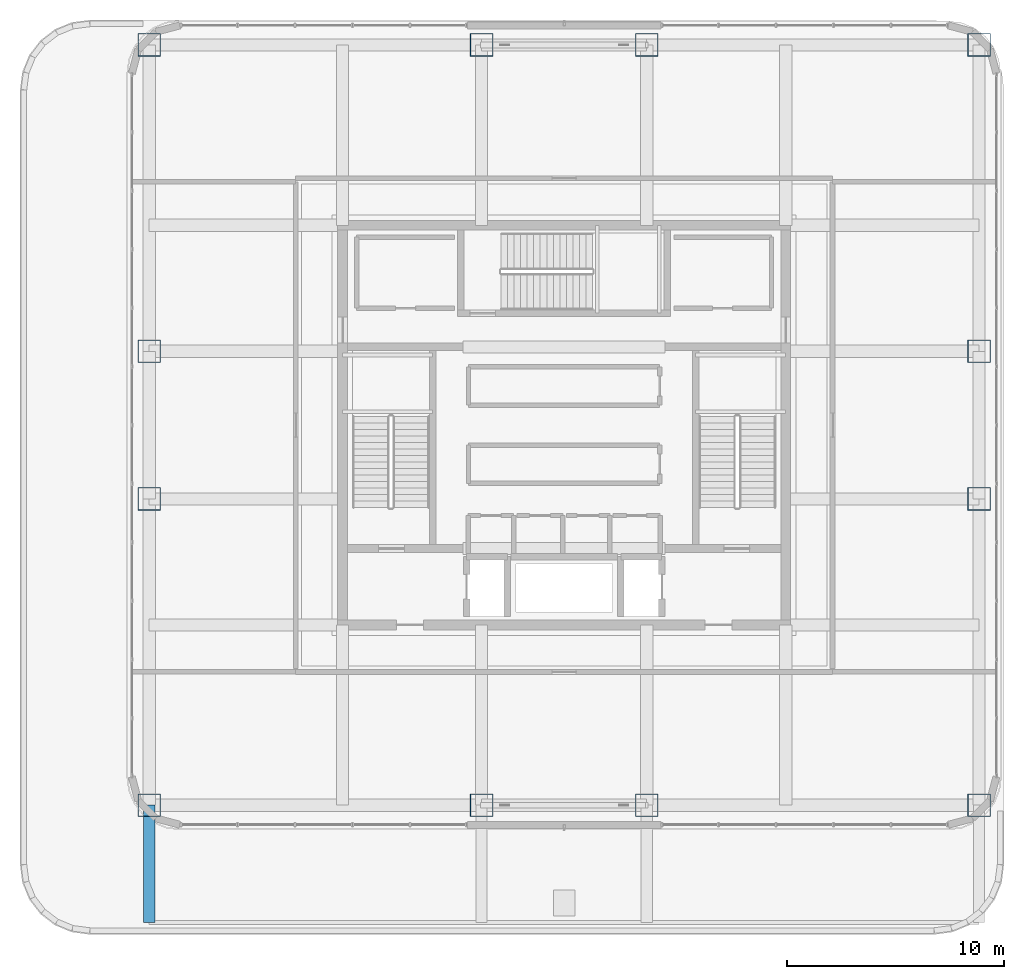
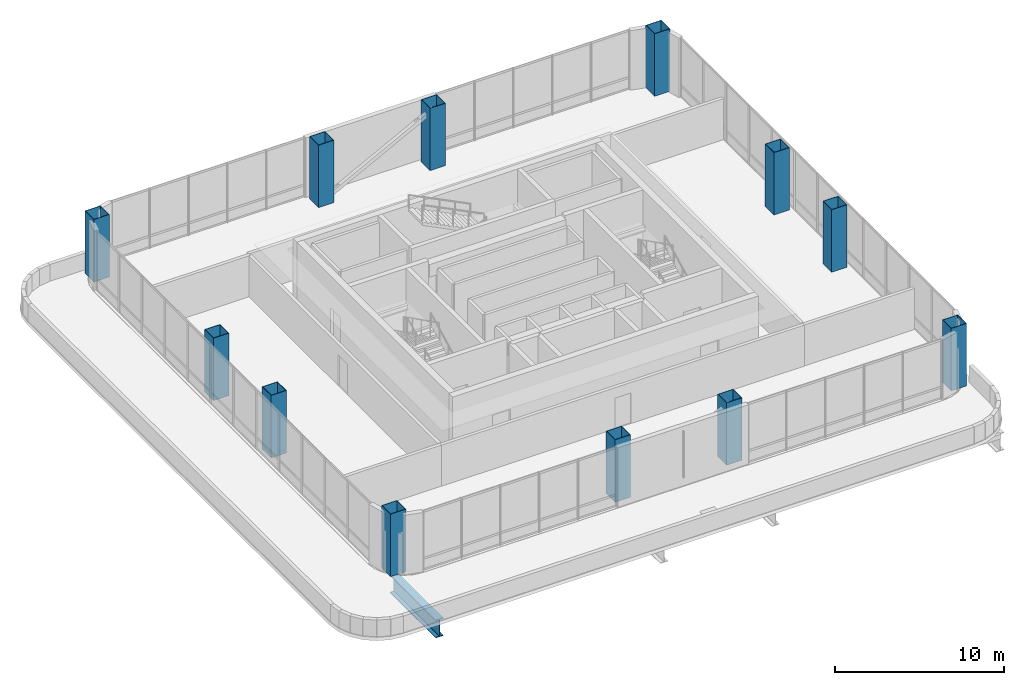
# One storey, part 1 of 33: 12 columns, 1 beam.
"""IFC4 building model written with IfcOpenShell, lengths in metres."""

import ifcopenshell
import ifcopenshell.guid

model = None  # the IFC model being written
_history = None  # IfcOwnerHistory: only IFC2X3 demands one
_inside = {}  # id of a spatial element -> (the spatial element, [elements in it])
_under = {}  # id of a project, library or spatial element -> (it, [spatial elements below it])
_declared = {}  # id of a project -> (the project, [libraries it declares])
_typed = {}  # id of a type object -> (the type object, [elements of that type])
_made_of = {}  # id of a material, layer set ... -> (it, [elements and type objects made of it])


def new_model(schema):
    """Start an empty IFC model of exactly this schema.

    Asked for "IFC4X3", IfcOpenShell would pick the latest addendum, in which some entities
    have other attributes; the version numbers below select the first issue.
    IFC2X3 requires an IfcOwnerHistory on every rooted entity: one is made here for all.
    """
    global model, _history
    if schema == "IFC4X3":
        model = ifcopenshell.file(schema_version=(4, 3, 0, 0))
    else:
        model = ifcopenshell.file(schema=schema)
    _inside.clear()
    _under.clear()
    _declared.clear()
    _typed.clear()
    _made_of.clear()
    _history = None
    if model.schema == "IFC2X3":
        org = make("IfcOrganization", Name="unknown")
        user = make(
            "IfcPersonAndOrganization",
            ThePerson=make("IfcPerson", FamilyName="unknown"),
            TheOrganization=org,
        )
        app = make(
            "IfcApplication",
            ApplicationDeveloper=org,
            Version="unknown",
            ApplicationFullName="unknown",
            ApplicationIdentifier="unknown",
        )
        _history = make(
            "IfcOwnerHistory",
            OwningUser=user,
            OwningApplication=app,
            ChangeAction="ADDED",
            CreationDate=0,
        )
    return model


def make(cls, **values):
    """One entity of the class cls with the attributes given. An attribute that is None is left unset."""
    return model.create_entity(
        cls, **{name: value for name, value in values.items() if value is not None}
    )


def rooted(cls, **values):
    """An entity with a GlobalId (a new one), such as an element, a storey or a relation."""
    return make(cls, GlobalId=ifcopenshell.guid.new(), OwnerHistory=_history, **values)


def si_unit(unit_type, name, prefix=None):
    """IfcSIUnit, for example si_unit("LENGTHUNIT", "METRE", prefix="MILLI")."""
    return make("IfcSIUnit", UnitType=unit_type, Prefix=prefix, Name=name)


def assignment(units):
    """IfcUnitAssignment: the units of a project."""
    return None if units is None else make("IfcUnitAssignment", Units=units)


def point(xyz):
    """IfcCartesianPoint."""
    return None if xyz is None else make("IfcCartesianPoint", Coordinates=xyz)


def direction(xyz):
    """IfcDirection."""
    return None if xyz is None else make("IfcDirection", DirectionRatios=xyz)


def frame(location, z_axis=None, x_axis=None):
    """IfcAxis2Placement3D, a coordinate frame: its origin and axes. An axis left out is left unset."""
    return make(
        "IfcAxis2Placement3D",
        Location=point(location),
        Axis=direction(z_axis),
        RefDirection=direction(x_axis),
    )


def frame_2d(location, x_axis=None):
    """IfcAxis2Placement2D, a coordinate frame in the plane: its origin and x axis."""
    return make(
        "IfcAxis2Placement2D", Location=point(location), RefDirection=direction(x_axis)
    )


def origin():
    """The frame at (0, 0, 0) with its axes left unset."""
    return frame((0.0, 0.0, 0.0))


def origin_2d():
    """The frame at (0, 0) in the plane with its x axis left unset."""
    return frame_2d((0.0, 0.0))


def place(relative_to, where):
    """IfcLocalPlacement: puts the frame where relative to a parent placement (None: the world)."""
    return make(
        "IfcLocalPlacement", PlacementRelTo=relative_to, RelativePlacement=where
    )


def context(
    kind, dimensions, precision=None, world=None, true_north=None, identifier=None
):
    """IfcGeometricRepresentationContext, for example the 3D "Model" context."""
    return make(
        "IfcGeometricRepresentationContext",
        ContextIdentifier=identifier,
        ContextType=kind,
        CoordinateSpaceDimension=dimensions,
        Precision=precision,
        WorldCoordinateSystem=world,
        TrueNorth=true_north,
    )


def subcontext(parent, identifier, kind, view, scale=None):
    """IfcGeometricRepresentationSubContext, for example "Body" below "Model"."""
    return make(
        "IfcGeometricRepresentationSubContext",
        ContextIdentifier=identifier,
        ContextType=kind,
        ParentContext=parent,
        TargetScale=scale,
        TargetView=view,
    )


def project(units=None, contexts=None):
    """IfcProject with its units and contexts."""
    return rooted(
        "IfcProject",
        Name="project",
        RepresentationContexts=contexts,
        UnitsInContext=assignment(units),
    )


def spatial(cls, under=None, at=None, **own):
    """A site, building, storey or space (cls), placed at a placement, below another one or the project."""
    s = rooted(cls, ObjectPlacement=at, **own)
    if under is not None:
        _under.setdefault(under.id(), (under, []))[1].append(s)
    return s


def profile(cls, at=None, kind="AREA", **sizes):
    """A parametric profile (cls). Its sizes go by their IFC names, for example OverallWidth=200.0."""
    return make(cls, ProfileType=kind, Position=at, **sizes)


def hollow_rectangle(**sizes):
    """IfcRectangleHollowProfileDef."""
    return profile("IfcRectangleHollowProfileDef", **sizes)


def i_section(**sizes):
    """IfcIShapeProfileDef."""
    return profile("IfcIShapeProfileDef", **sizes)


def extrude(swept, where, along, depth):
    """IfcExtrudedAreaSolid: the profile swept, set in the frame where, extruded along a direction by depth."""
    return make(
        "IfcExtrudedAreaSolid",
        SweptArea=swept,
        Position=where,
        ExtrudedDirection=direction(along),
        Depth=depth,
    )


def shape(context_of_items, identifier, shape_type, items):
    """IfcShapeRepresentation: the items that make up one representation, for example the "Body"."""
    return make(
        "IfcShapeRepresentation",
        ContextOfItems=context_of_items,
        RepresentationIdentifier=identifier,
        RepresentationType=shape_type,
        Items=items,
    )


def material(Name=None, Category=None):
    """IfcMaterial."""
    return make("IfcMaterial", Name=Name, Category=Category)


def material_profile(
    of_material, cross_section, Name=None, Category=None, Priority=None
):
    """IfcMaterialProfile: a cross section and its material."""
    return make(
        "IfcMaterialProfile",
        Name=Name,
        Material=of_material,
        Profile=cross_section,
        Priority=Priority,
        Category=Category,
    )


def profile_set(profiles, Name=None, composite=None):
    """IfcMaterialProfileSet."""
    return make(
        "IfcMaterialProfileSet",
        Name=Name,
        MaterialProfiles=profiles,
        CompositeProfile=composite,
    )


def made_of(thing, what):
    """Note that an element or type object is made of a material, layer set ...; save() writes the relation."""
    if what is not None:
        _made_of.setdefault(what.id(), (what, []))[1].append(thing)
    return thing


def type_object(cls, material=None, **own):
    """A type object (cls), such as IfcWallType, which elements share."""
    return made_of(rooted(cls, **own), material)


def element(
    cls,
    number,
    at=None,
    inside=None,
    cuts=None,
    type_object=None,
    material=None,
    context=None,
    identifier="Body",
    shape_type=None,
    held_by="IfcProductDefinitionShape",
    body=None,
    shapes=None,
    **own,
):
    """One element of the class cls, such as IfcWall. Its Tag is "e" and its number.

    at: its placement. inside: the storey or other place that contains it. cuts: it is an
    opening in that element (IfcRelVoidsElement). A single representation is given by context,
    identifier, shape_type and body (its items); several are given by shapes. held_by: the class
    of the entity that holds the representations. save() writes the other relations.
    """
    e = rooted(cls, Tag="e%d" % number, ObjectPlacement=at, **own)
    if body is not None:
        shapes = [shape(context, identifier, shape_type, body)]
    if shapes is not None:
        e.Representation = make(held_by, Representations=shapes)
    if inside is not None:
        _inside.setdefault(inside.id(), (inside, []))[1].append(e)
    if cuts is not None:
        rooted(
            "IfcRelVoidsElement", RelatingBuildingElement=cuts, RelatedOpeningElement=e
        )
    if type_object is not None:
        _typed.setdefault(type_object.id(), (type_object, []))[1].append(e)
    return made_of(e, material)


def aggregate(whole, parts):
    """IfcRelAggregates: a whole, such as a stair, and the parts it consists of."""
    return rooted("IfcRelAggregates", RelatingObject=whole, RelatedObjects=parts)


def save(model, path):
    """Write the relations noted so far, then the file.

    IfcRelAggregates (storeys below a building ...), IfcRelContainedInSpatialStructure (elements
    in a storey), IfcRelDefinesByType, IfcRelAssociatesMaterial and IfcRelDeclares: one each for
    every whole, place, type object, material and project.
    """
    for whole, parts in _under.values():
        aggregate(whole, parts)
    for where, things in _inside.values():
        rooted(
            "IfcRelContainedInSpatialStructure",
            RelatedElements=things,
            RelatingStructure=where,
        )
    for kind, things in _typed.values():
        rooted("IfcRelDefinesByType", RelatedObjects=things, RelatingType=kind)
    for what, things in _made_of.values():
        rooted("IfcRelAssociatesMaterial", RelatedObjects=things, RelatingMaterial=what)
    for by, libraries in _declared.values():
        rooted("IfcRelDeclares", RelatingContext=by, RelatedDefinitions=libraries)
    model.write(path)


model = new_model("IFC4")

# Units and contexts
model_context = context("Model", 3, precision=1e-05, world=origin(), true_north=direction((0.0, 1.0)))
body_context = subcontext(model_context, "Body", "Model", "MODEL_VIEW")
ifc_project = project(units=[si_unit("LENGTHUNIT", "METRE"), si_unit("AREAUNIT", "SQUARE_METRE"), si_unit("VOLUMEUNIT", "CUBIC_METRE"), si_unit("PLANEANGLEUNIT", "RADIAN"), si_unit("MASSUNIT", "GRAM", prefix="KILO")], contexts=[model_context])

# Site, building, storey
site_placement = place(None, origin())
site = spatial("IfcSite", under=ifc_project, at=site_placement, CompositionType="ELEMENT")
building_placement = place(site_placement, origin())
building = spatial("IfcBuilding", under=site, at=building_placement, Name="Punatoya Terracotta Tower", CompositionType="ELEMENT")
storey_placement = place(building_placement, frame((0.0, 0.0, 343.800048828125)))
storey = spatial("IfcBuildingStorey", under=building, at=storey_placement, Name="L81", CompositionType="ELEMENT", Elevation=343.800048828125)

# Columns
ifc_material = material(Name="Steel S460", Category="steel")
ifc_material_profile_1 = material_profile(ifc_material, hollow_rectangle(XDim=1.050048828125, YDim=1.050048828125, WallThickness=0.030029296875, at=origin_2d()))
ifc_profile_set_1 = profile_set([ifc_material_profile_1], Name="Steel S460")
column_type = type_object("IfcColumnType", Name="COL-MC-CR", PredefinedType="COLUMN", material=ifc_profile_set_1)
for number, where, z_axis, x_axis, name in (
    (1, (-19.10009765625, -17.5, 0.0), (0.0, 0.0, 1.0), (1.0, 0.0, 0.0), "L81 Composite Mega-Column MC-01 (3-B)"),
    (2, (-3.800048828125, -17.5, 0.0), (0.0, 0.0, 1.0), (1.0, 0.0, 0.0), "L81 Composite Mega-Column MC-02 (5-B)"),
    (3, (3.800048828125, -17.5, 0.0), (0.0, 0.0, 1.0), (1.0, 0.0, 0.0), "L81 Composite Mega-Column MC-03 (7-B)"),
    (4, (19.10009765625, -17.5, 0.0), (0.0, 0.0, 1.0), (1.0, 0.0, 0.0), "L81 Composite Mega-Column MC-04 (9-B)"),
    (5, (19.10009765625, -3.39990234375, 0.0), (0.0, 0.0, 1.0), (1.0, 0.0, 0.0), "L81 Composite Mega-Column MC-05 (9-D)"),
    (6, (19.10009765625, 3.39990234375, 0.0), (0.0, 0.0, 1.0), (1.0, 0.0, 0.0), "L81 Composite Mega-Column MC-06 (9-E)"),
    (7, (19.10009765625, 17.5, 0.0), (0.0, 0.0, 1.0), (1.0, 0.0, 0.0), "L81 Composite Mega-Column MC-07 (9-G)"),
    (8, (3.800048828125, 17.5, 0.0), (0.0, 0.0, 1.0), (1.0, 0.0, 0.0), "L81 Composite Mega-Column MC-08 (7-G)"),
    (9, (-3.800048828125, 17.5, 0.0), (0.0, 0.0, 1.0), (1.0, 0.0, 0.0), "L81 Composite Mega-Column MC-09 (5-G)"),
    (10, (-19.10009765625, 17.5, 0.0), (0.0, 0.0, 1.0), (1.0, 0.0, 0.0), "L81 Composite Mega-Column MC-10 (3-G)"),
    (11, (-19.10009765625, 3.39990234375, 0.0), (0.0, 0.0, 1.0), (1.0, 0.0, 0.0), "L81 Composite Mega-Column MC-11 (3-E)"),
    (12, (-19.10009765625, -3.39990234375, 0.0), (0.0, 0.0, 1.0), (1.0, 0.0, 0.0), "L81 Composite Mega-Column MC-12 (3-D)"),
):
    element("IfcColumn", number, at=place(storey_placement, frame(where, z_axis=z_axis, x_axis=x_axis)), inside=storey, type_object=column_type, Name=name, PredefinedType="COLUMN", context=body_context, shape_type="SweptSolid", body=[
        extrude(hollow_rectangle(XDim=1.050048828125, YDim=1.050048828125, WallThickness=0.030029296875, at=origin_2d()), origin(), (0.0, 0.0, 1.0), 4.5),
    ])

# Beam
ifc_material_profile_2 = material_profile(ifc_material, i_section(OverallWidth=0.52001953125, OverallDepth=1.280029296875, WebThickness=0.031982421875, FlangeThickness=0.050048828125, FilletRadius=0.01806640625, at=origin_2d()))
ifc_profile_set_2 = profile_set([ifc_material_profile_2], Name="Steel S460")
beam_type = type_object("IfcBeamType", Name="BM-TG-NCK", PredefinedType="BEAM", material=ifc_profile_set_2)
beam_placement = place(storey_placement, frame((-19.10009765625, -22.89990234375, -0.920166015625), z_axis=(0.0, 1.0, 0.0), x_axis=(-1.0, 0.0, 0.0)))
element("IfcBeam", 13, at=beam_placement, inside=storey, type_object=beam_type, Name="BM-L81-CW1", PredefinedType="BEAM", context=body_context, shape_type="SweptSolid", body=[
    extrude(i_section(OverallWidth=0.52001953125, OverallDepth=1.280029296875, WebThickness=0.031982421875, FlangeThickness=0.050048828125, FilletRadius=0.01806640625, at=origin_2d()), origin(), (0.0, 0.0, 1.0), 5.39990234375),
])

save(model, "model.ifc")
